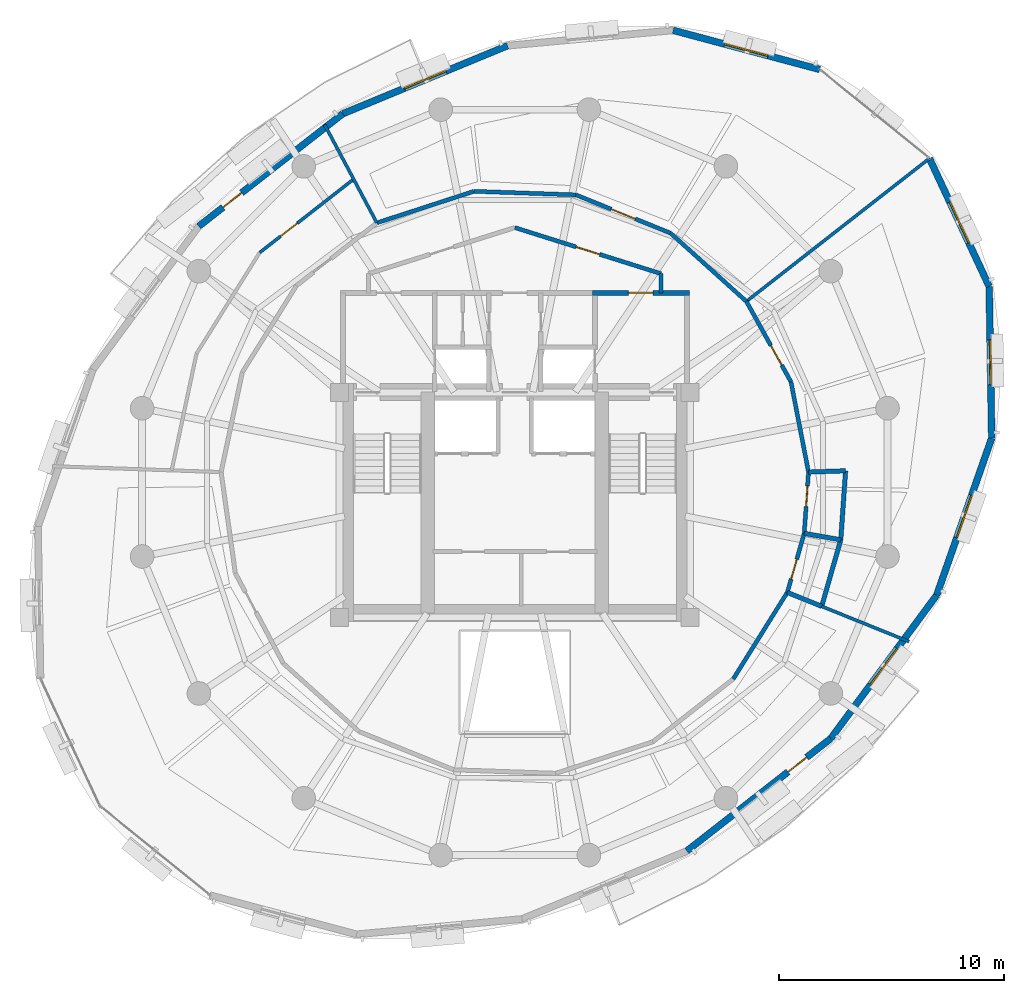
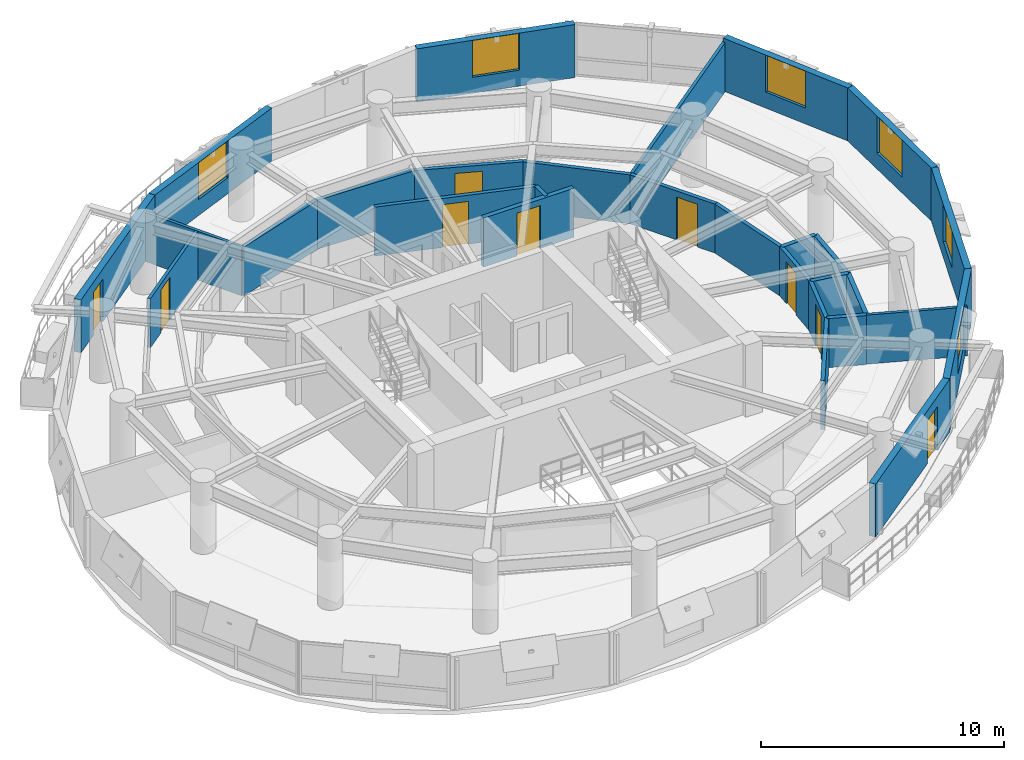
# One storey, part 9 of 12: 29 walls, 9 doors, 6 windows, 15 openings.
"""IFC4 building model written with IfcOpenShell, lengths in metres."""

import ifcopenshell
import ifcopenshell.guid

model = None  # the IFC model being written
_history = None  # IfcOwnerHistory: only IFC2X3 demands one
_inside = {}  # id of a spatial element -> (the spatial element, [elements in it])
_under = {}  # id of a project, library or spatial element -> (it, [spatial elements below it])
_declared = {}  # id of a project -> (the project, [libraries it declares])
_typed = {}  # id of a type object -> (the type object, [elements of that type])
_made_of = {}  # id of a material, layer set ... -> (it, [elements and type objects made of it])


def new_model(schema):
    """Start an empty IFC model of exactly this schema.

    Asked for "IFC4X3", IfcOpenShell would pick the latest addendum, in which some entities
    have other attributes; the version numbers below select the first issue.
    IFC2X3 requires an IfcOwnerHistory on every rooted entity: one is made here for all.
    """
    global model, _history
    if schema == "IFC4X3":
        model = ifcopenshell.file(schema_version=(4, 3, 0, 0))
    else:
        model = ifcopenshell.file(schema=schema)
    _inside.clear()
    _under.clear()
    _declared.clear()
    _typed.clear()
    _made_of.clear()
    _history = None
    if model.schema == "IFC2X3":
        org = make("IfcOrganization", Name="unknown")
        user = make(
            "IfcPersonAndOrganization",
            ThePerson=make("IfcPerson", FamilyName="unknown"),
            TheOrganization=org,
        )
        app = make(
            "IfcApplication",
            ApplicationDeveloper=org,
            Version="unknown",
            ApplicationFullName="unknown",
            ApplicationIdentifier="unknown",
        )
        _history = make(
            "IfcOwnerHistory",
            OwningUser=user,
            OwningApplication=app,
            ChangeAction="ADDED",
            CreationDate=0,
        )
    return model


def make(cls, **values):
    """One entity of the class cls with the attributes given. An attribute that is None is left unset."""
    return model.create_entity(
        cls, **{name: value for name, value in values.items() if value is not None}
    )


def rooted(cls, **values):
    """An entity with a GlobalId (a new one), such as an element, a storey or a relation."""
    return make(cls, GlobalId=ifcopenshell.guid.new(), OwnerHistory=_history, **values)


def si_unit(unit_type, name, prefix=None):
    """IfcSIUnit, for example si_unit("LENGTHUNIT", "METRE", prefix="MILLI")."""
    return make("IfcSIUnit", UnitType=unit_type, Prefix=prefix, Name=name)


def assignment(units):
    """IfcUnitAssignment: the units of a project."""
    return None if units is None else make("IfcUnitAssignment", Units=units)


def point(xyz):
    """IfcCartesianPoint."""
    return None if xyz is None else make("IfcCartesianPoint", Coordinates=xyz)


def direction(xyz):
    """IfcDirection."""
    return None if xyz is None else make("IfcDirection", DirectionRatios=xyz)


def frame(location, z_axis=None, x_axis=None):
    """IfcAxis2Placement3D, a coordinate frame: its origin and axes. An axis left out is left unset."""
    return make(
        "IfcAxis2Placement3D",
        Location=point(location),
        Axis=direction(z_axis),
        RefDirection=direction(x_axis),
    )


def frame_2d(location, x_axis=None):
    """IfcAxis2Placement2D, a coordinate frame in the plane: its origin and x axis."""
    return make(
        "IfcAxis2Placement2D", Location=point(location), RefDirection=direction(x_axis)
    )


def origin():
    """The frame at (0, 0, 0) with its axes left unset."""
    return frame((0.0, 0.0, 0.0))


def place(relative_to, where):
    """IfcLocalPlacement: puts the frame where relative to a parent placement (None: the world)."""
    return make(
        "IfcLocalPlacement", PlacementRelTo=relative_to, RelativePlacement=where
    )


def context(
    kind, dimensions, precision=None, world=None, true_north=None, identifier=None
):
    """IfcGeometricRepresentationContext, for example the 3D "Model" context."""
    return make(
        "IfcGeometricRepresentationContext",
        ContextIdentifier=identifier,
        ContextType=kind,
        CoordinateSpaceDimension=dimensions,
        Precision=precision,
        WorldCoordinateSystem=world,
        TrueNorth=true_north,
    )


def subcontext(parent, identifier, kind, view, scale=None):
    """IfcGeometricRepresentationSubContext, for example "Body" below "Model"."""
    return make(
        "IfcGeometricRepresentationSubContext",
        ContextIdentifier=identifier,
        ContextType=kind,
        ParentContext=parent,
        TargetScale=scale,
        TargetView=view,
    )


def project(units=None, contexts=None):
    """IfcProject with its units and contexts."""
    return rooted(
        "IfcProject",
        Name="project",
        RepresentationContexts=contexts,
        UnitsInContext=assignment(units),
    )


def spatial(cls, under=None, at=None, **own):
    """A site, building, storey or space (cls), placed at a placement, below another one or the project."""
    s = rooted(cls, ObjectPlacement=at, **own)
    if under is not None:
        _under.setdefault(under.id(), (under, []))[1].append(s)
    return s


def profile(cls, at=None, kind="AREA", **sizes):
    """A parametric profile (cls). Its sizes go by their IFC names, for example OverallWidth=200.0."""
    return make(cls, ProfileType=kind, Position=at, **sizes)


def rectangle(**sizes):
    """IfcRectangleProfileDef."""
    return profile("IfcRectangleProfileDef", **sizes)


def extrude(swept, where, along, depth):
    """IfcExtrudedAreaSolid: the profile swept, set in the frame where, extruded along a direction by depth."""
    return make(
        "IfcExtrudedAreaSolid",
        SweptArea=swept,
        Position=where,
        ExtrudedDirection=direction(along),
        Depth=depth,
    )


def shape(context_of_items, identifier, shape_type, items):
    """IfcShapeRepresentation: the items that make up one representation, for example the "Body"."""
    return make(
        "IfcShapeRepresentation",
        ContextOfItems=context_of_items,
        RepresentationIdentifier=identifier,
        RepresentationType=shape_type,
        Items=items,
    )


def material(Name=None, Category=None):
    """IfcMaterial."""
    return make("IfcMaterial", Name=Name, Category=Category)


def layer(
    of_material, thickness, ventilated=None, Name=None, Category=None, Priority=None
):
    """IfcMaterialLayer: one layer of a wall or slab, of a material (None: an air gap)."""
    return make(
        "IfcMaterialLayer",
        Material=of_material,
        LayerThickness=thickness,
        IsVentilated=ventilated,
        Name=Name,
        Category=Category,
        Priority=Priority,
    )


def layer_set(layers, Name=None):
    """IfcMaterialLayerSet."""
    return make("IfcMaterialLayerSet", MaterialLayers=layers, LayerSetName=Name)


def made_of(thing, what):
    """Note that an element or type object is made of a material, layer set ...; save() writes the relation."""
    if what is not None:
        _made_of.setdefault(what.id(), (what, []))[1].append(thing)
    return thing


def type_object(cls, material=None, **own):
    """A type object (cls), such as IfcWallType, which elements share."""
    return made_of(rooted(cls, **own), material)


def element(
    cls,
    number,
    at=None,
    inside=None,
    cuts=None,
    type_object=None,
    material=None,
    context=None,
    identifier="Body",
    shape_type=None,
    held_by="IfcProductDefinitionShape",
    body=None,
    shapes=None,
    **own,
):
    """One element of the class cls, such as IfcWall. Its Tag is "e" and its number.

    at: its placement. inside: the storey or other place that contains it. cuts: it is an
    opening in that element (IfcRelVoidsElement). A single representation is given by context,
    identifier, shape_type and body (its items); several are given by shapes. held_by: the class
    of the entity that holds the representations. save() writes the other relations.
    """
    e = rooted(cls, Tag="e%d" % number, ObjectPlacement=at, **own)
    if body is not None:
        shapes = [shape(context, identifier, shape_type, body)]
    if shapes is not None:
        e.Representation = make(held_by, Representations=shapes)
    if inside is not None:
        _inside.setdefault(inside.id(), (inside, []))[1].append(e)
    if cuts is not None:
        rooted(
            "IfcRelVoidsElement", RelatingBuildingElement=cuts, RelatedOpeningElement=e
        )
    if type_object is not None:
        _typed.setdefault(type_object.id(), (type_object, []))[1].append(e)
    return made_of(e, material)


def fill(opening, filler):
    """IfcRelFillsElement: the door or window that sits in an opening."""
    return rooted(
        "IfcRelFillsElement",
        RelatingOpeningElement=opening,
        RelatedBuildingElement=filler,
    )


def aggregate(whole, parts):
    """IfcRelAggregates: a whole, such as a stair, and the parts it consists of."""
    return rooted("IfcRelAggregates", RelatingObject=whole, RelatedObjects=parts)


def save(model, path):
    """Write the relations noted so far, then the file.

    IfcRelAggregates (storeys below a building ...), IfcRelContainedInSpatialStructure (elements
    in a storey), IfcRelDefinesByType, IfcRelAssociatesMaterial and IfcRelDeclares: one each for
    every whole, place, type object, material and project.
    """
    for whole, parts in _under.values():
        aggregate(whole, parts)
    for where, things in _inside.values():
        rooted(
            "IfcRelContainedInSpatialStructure",
            RelatedElements=things,
            RelatingStructure=where,
        )
    for kind, things in _typed.values():
        rooted("IfcRelDefinesByType", RelatedObjects=things, RelatingType=kind)
    for what, things in _made_of.values():
        rooted("IfcRelAssociatesMaterial", RelatedObjects=things, RelatingMaterial=what)
    for by, libraries in _declared.values():
        rooted("IfcRelDeclares", RelatingContext=by, RelatedDefinitions=libraries)
    model.write(path)


model = new_model("IFC4")

# Units and contexts
model_context = context("Model", 3, precision=1e-05, world=origin(), true_north=direction((0.0, 1.0)))
body_context = subcontext(model_context, "Body", "Model", "MODEL_VIEW")
ifc_project = project(units=[si_unit("LENGTHUNIT", "METRE"), si_unit("AREAUNIT", "SQUARE_METRE"), si_unit("VOLUMEUNIT", "CUBIC_METRE"), si_unit("PLANEANGLEUNIT", "RADIAN"), si_unit("MASSUNIT", "GRAM", prefix="KILO"), si_unit("THERMODYNAMICTEMPERATUREUNIT", "KELVIN"), si_unit("POWERUNIT", "WATT")], contexts=[model_context])

# Site, building, storey
site_placement = place(None, origin())
site = spatial("IfcSite", under=ifc_project, at=site_placement, CompositionType="ELEMENT")
building_placement = place(site_placement, origin())
building = spatial("IfcBuilding", under=site, at=building_placement, Name="Ocrelia Relay Tower", CompositionType="ELEMENT")
storey_placement = place(building_placement, frame((0.0, 0.0, 191.60009765625)))
storey = spatial("IfcBuildingStorey", under=building, at=storey_placement, Name="L46", CompositionType="ELEMENT", Elevation=191.60009765625)

# Wall
ifc_material_1 = material(Name="Gypsum Fireboard Partition EI60", Category="gypsum")
ifc_layer_1 = layer(ifc_material_1, 0.179931640625, Name="Gypsum Fireboard Partition EI60")
ifc_layer_set_1 = layer_set([ifc_layer_1], Name="Gypsum Fireboard Partition EI60")
wall_type_1 = type_object("IfcWallType", Name="W-CORR-EI60-180", PredefinedType="PARTITIONING", material=ifc_layer_set_1)
wall_1_placement = place(storey_placement, frame((40.5, 35.280029296875, 0.0), z_axis=(0.0, 0.0, 1.0), x_axis=(0.0, -1.0, 0.0)))
element("IfcWall", 1, at=wall_1_placement, inside=storey, type_object=wall_type_1, Name="L46 Smoke Lobby East Return", PredefinedType="PARTITIONING", context=body_context, shape_type="SweptSolid", body=[
    extrude(rectangle(XDim=0.85009765625, YDim=0.179931640625, at=frame_2d((0.425048828125, 0.0))), origin(), (0.0, 0.0, 1.0), 2.4599609375),
])

# Wall, opening, door
wall_2_placement = place(storey_placement, frame((34.0, 37.330078125, 0.0), z_axis=(0.0, 0.0, 1.0), x_axis=(0.953691418528, -0.300786765376, 0.0)))
wall_2 = element("IfcWall", 2, at=wall_2_placement, inside=storey, type_object=wall_type_1, Name="L46 North Smoke Lobby E Screen Wall", PredefinedType="PARTITIONING", context=body_context, shape_type="SweptSolid", body=[
    extrude(rectangle(XDim=6.815673828125, YDim=0.179931640625, at=frame_2d((3.40771484375, 0.0))), origin(), (0.0, 0.0, 1.0), 2.4599609375),
])
opening_1_placement = place(wall_2_placement, frame((2.85791015625, 0.0, 0.0)))
opening_1 = element("IfcOpeningElement", 3, at=opening_1_placement, cuts=wall_2, Name="Opening D-FD60", PredefinedType="OPENING", context=body_context, shape_type="SweptSolid", body=[
    extrude(rectangle(XDim=1.10009765625, YDim=2.14990234375, at=frame_2d((0.550048828125, 1.074951171875))), frame((0.0, 0.10009765625, 0.0), z_axis=(0.0, -1.0, 0.0), x_axis=(1.0, 0.0, 0.0)), (0.0, 0.0, 1.0), 0.199951171875),
])
ifc_material_2 = material(Name="Timber-core 60-min acoustic fire door", Category="wood")
door_type_1 = type_object("IfcDoorType", Name="DR-LOBBY-FD60-1100", OperationType="NOTDEFINED", PredefinedType="DOOR", material=ifc_material_2)
door_1_placement = place(opening_1_placement, origin())
door_1 = element("IfcDoor", 4, at=door_1_placement, inside=storey, type_object=door_type_1, Name="L46 North Smoke Lobby E Fire Door", OperationType="SINGLE_SWING_LEFT", OverallHeight=2.14990234375, OverallWidth=1.10009765625, PredefinedType="DOOR", context=body_context, shape_type="SweptSolid", body=[
    extrude(rectangle(XDim=1.10009765625, YDim=2.14990234375, at=frame_2d((0.550048828125, 1.074951171875))), frame((0.0, 0.02490234375, 0.0), z_axis=(0.0, -1.0, 0.0), x_axis=(1.0, 0.0, 0.0)), (0.0, 0.0, 1.0), 0.050048828125),
])
fill(opening_1, door_1)

wall_3_placement = place(storey_placement, frame((46.118408203125, 21.10400390625, 0.0), z_axis=(0.0, 0.0, 1.0), x_axis=(0.275570735837, 0.961280796412, 0.0)))
wall_3 = element("IfcWall", 5, at=wall_3_placement, inside=storey, type_object=wall_type_1, Name="L46 Staff Toilet Corridor Wall", PredefinedType="PARTITIONING", context=body_context, shape_type="SweptSolid", body=[
    extrude(rectangle(XDim=2.732177734375, YDim=0.179931640625, at=frame_2d((1.3662109375, 0.0))), origin(), (0.0, 0.0, 1.0), 2.4599609375),
])
opening_2_placement = place(wall_3_placement, frame((0.61572265625, 0.0, 0.0)))
opening_2 = element("IfcOpeningElement", 6, at=opening_2_placement, cuts=wall_3, Name="Opening D-WC92", PredefinedType="OPENING", context=body_context, shape_type="SweptSolid", body=[
    extrude(rectangle(XDim=0.919921875, YDim=2.10009765625, at=frame_2d((0.4599609375, 1.050048828125))), frame((0.0, 0.10009765625, 0.0), z_axis=(0.0, -1.0, 0.0), x_axis=(1.0, 0.0, 0.0)), (0.0, 0.0, 1.0), 0.199951171875),
])
ifc_material_3 = material(Name="Laminate washroom door", Category="wood")
door_type_2 = type_object("IfcDoorType", Name="DR-WC-920", OperationType="NOTDEFINED", PredefinedType="DOOR", material=ifc_material_3)
door_2_placement = place(opening_2_placement, origin())
door_2 = element("IfcDoor", 7, at=door_2_placement, inside=storey, type_object=door_type_2, Name="L46 Staff Toilet Door", OperationType="SINGLE_SWING_RIGHT", OverallHeight=2.10009765625, OverallWidth=0.919921875, PredefinedType="DOOR", context=body_context, shape_type="SweptSolid", body=[
    extrude(rectangle(XDim=0.919921875, YDim=2.10009765625, at=frame_2d((0.4599609375, 1.050048828125))), frame((0.0, 0.02490234375, 0.0), z_axis=(0.0, -1.0, 0.0), x_axis=(1.0, 0.0, 0.0)), (0.0, 0.0, 1.0), 0.050048828125),
])
fill(opening_2, door_2)

wall_4_placement = place(storey_placement, frame((46.871337890625, 23.73046875, 0.0), z_axis=(0.0, 0.0, 1.0), x_axis=(0.069786446257, 0.997561953925, 0.0)))
wall_4 = element("IfcWall", 8, at=wall_4_placement, inside=storey, type_object=wall_type_1, Name="L46 Accessible Toilet Corridor Wall", PredefinedType="PARTITIONING", context=body_context, shape_type="SweptSolid", body=[
    extrude(rectangle(XDim=2.732177734375, YDim=0.179931640625, at=frame_2d((1.3662109375, 0.0))), origin(), (0.0, 0.0, 1.0), 2.4599609375),
])
opening_3_placement = place(wall_4_placement, frame((1.196533203125, 0.0, 0.0)))
opening_3 = element("IfcOpeningElement", 9, at=opening_3_placement, cuts=wall_4, Name="Opening D-WC92", PredefinedType="OPENING", context=body_context, shape_type="SweptSolid", body=[
    extrude(rectangle(XDim=0.919921875, YDim=2.10009765625, at=frame_2d((0.4599609375, 1.050048828125))), frame((0.0, 0.10009765625, 0.0), z_axis=(0.0, -1.0, 0.0), x_axis=(1.0, 0.0, 0.0)), (0.0, 0.0, 1.0), 0.199951171875),
])
door_3_placement = place(opening_3_placement, origin())
door_3 = element("IfcDoor", 10, at=door_3_placement, inside=storey, type_object=door_type_2, Name="L46 Accessible Toilet Door", OperationType="SINGLE_SWING_LEFT", OverallHeight=2.10009765625, OverallWidth=0.919921875, PredefinedType="DOOR", context=body_context, shape_type="SweptSolid", body=[
    extrude(rectangle(XDim=0.919921875, YDim=2.10009765625, at=frame_2d((0.4599609375, 1.050048828125))), frame((0.0, 0.02490234375, 0.0), z_axis=(0.0, -1.0, 0.0), x_axis=(1.0, 0.0, 0.0)), (0.0, 0.0, 1.0), 0.050048828125),
])
fill(opening_3, door_3)

# Wall
wall_5_placement = place(storey_placement, frame((47.06201171875, 26.4560546875, 0.0), z_axis=(0.0, 0.0, 1.0), x_axis=(-0.190808935383, 0.981627195109, 0.0)))
element("IfcWall", 11, at=wall_5_placement, inside=storey, type_object=wall_type_1, Name="L46 Shift Staff Lounge Corridor Partition 1", PredefinedType="PARTITIONING", context=body_context, shape_type="SweptSolid", body=[
    extrude(rectangle(XDim=4.08935546875, YDim=0.179931640625, at=frame_2d((2.044677734375, 0.0))), origin(), (0.0, 0.0, 1.0), 2.4599609375),
])

# Wall, opening, door
wall_6_placement = place(storey_placement, frame((46.28173828125, 30.47021484375, 0.0), z_axis=(0.0, 0.0, 1.0), x_axis=(-0.48480627272, 0.874621562695, 0.0)))
wall_6 = element("IfcWall", 12, at=wall_6_placement, inside=storey, type_object=wall_type_1, Name="L46 Shift Staff Lounge Corridor Partition 2", PredefinedType="PARTITIONING", context=body_context, shape_type="SweptSolid", body=[
    extrude(rectangle(XDim=4.089111328125, YDim=0.179931640625, at=frame_2d((2.04443359375, 0.0))), origin(), (0.0, 0.0, 1.0), 2.4599609375),
])
opening_4_placement = place(wall_6_placement, frame((0.847412109375, 0.0, 0.0)))
opening_4 = element("IfcOpeningElement", 13, at=opening_4_placement, cuts=wall_6, Name="Opening D-RM100", PredefinedType="OPENING", context=body_context, shape_type="SweptSolid", body=[
    extrude(rectangle(XDim=1.0, YDim=2.14990234375, at=frame_2d((0.5, 1.074951171875))), frame((0.0, 0.10009765625, 0.0), z_axis=(0.0, -1.0, 0.0), x_axis=(1.0, 0.0, 0.0)), (0.0, 0.0, 1.0), 0.199951171875),
])
ifc_material_4 = material(Name="Acoustic oak veneer fire door", Category="wood")
door_type_3 = type_object("IfcDoorType", Name="DR-ROOM-FD60-1000", OperationType="NOTDEFINED", PredefinedType="DOOR", material=ifc_material_4)
door_4_placement = place(opening_4_placement, origin())
door_4 = element("IfcDoor", 14, at=door_4_placement, inside=storey, type_object=door_type_3, Name="L46 Shift Staff Lounge Entrance Door", OperationType="SINGLE_SWING_RIGHT", OverallHeight=2.14990234375, OverallWidth=1.0, PredefinedType="DOOR", context=body_context, shape_type="SweptSolid", body=[
    extrude(rectangle(XDim=1.0, YDim=2.14990234375, at=frame_2d((0.5, 1.074951171875))), frame((0.0, 0.02490234375, 0.0), z_axis=(0.0, -1.0, 0.0), x_axis=(1.0, 0.0, 0.0)), (0.0, 0.0, 1.0), 0.050048828125),
])
fill(opening_4, door_4)

# Wall
wall_7_placement = place(storey_placement, frame((44.29931640625, 34.046630859375, 0.0), z_axis=(0.0, 0.0, 1.0), x_axis=(-0.74314168775, 0.669134091141, 0.0)))
element("IfcWall", 15, at=wall_7_placement, inside=storey, type_object=wall_type_1, Name="L46 Cloud Engineering Workspace Corridor Partition 1", PredefinedType="PARTITIONING", context=body_context, shape_type="SweptSolid", body=[
    extrude(rectangle(XDim=4.539306640625, YDim=0.179931640625, at=frame_2d((2.26953125, 0.0))), origin(), (0.0, 0.0, 1.0), 2.4599609375),
])

# Wall, opening, door
wall_8_placement = place(storey_placement, frame((40.926025390625, 37.083984375, 0.0), z_axis=(0.0, 0.0, 1.0), x_axis=(-0.927184006015, 0.374606218568, 0.0)))
wall_8 = element("IfcWall", 16, at=wall_8_placement, inside=storey, type_object=wall_type_1, Name="L46 Cloud Engineering Workspace Corridor Partition 2", PredefinedType="PARTITIONING", context=body_context, shape_type="SweptSolid", body=[
    extrude(rectangle(XDim=4.539306640625, YDim=0.179931640625, at=frame_2d((2.26953125, 0.0))), origin(), (0.0, 0.0, 1.0), 2.4599609375),
])
opening_5_placement = place(wall_8_placement, frame((1.694580078125, 0.0, 0.0)))
opening_5 = element("IfcOpeningElement", 17, at=opening_5_placement, cuts=wall_8, Name="Opening D-RM115", PredefinedType="OPENING", context=body_context, shape_type="SweptSolid", body=[
    extrude(rectangle(XDim=1.14990234375, YDim=2.14990234375, at=frame_2d((0.574951171875, 1.074951171875))), frame((0.0, 0.10009765625, 0.0), z_axis=(0.0, -1.0, 0.0), x_axis=(1.0, 0.0, 0.0)), (0.0, 0.0, 1.0), 0.199951171875),
])
ifc_material_5 = material(Name="Wide acoustic oak veneer fire door", Category="wood")
door_type_4 = type_object("IfcDoorType", Name="DR-ROOM-1150", OperationType="NOTDEFINED", PredefinedType="DOOR", material=ifc_material_5)
door_5_placement = place(opening_5_placement, origin())
door_5 = element("IfcDoor", 18, at=door_5_placement, inside=storey, type_object=door_type_4, Name="L46 Cloud Engineering Workspace Entrance Door", OperationType="SINGLE_SWING_LEFT", OverallHeight=2.14990234375, OverallWidth=1.14990234375, PredefinedType="DOOR", context=body_context, shape_type="SweptSolid", body=[
    extrude(rectangle(XDim=1.14990234375, YDim=2.14990234375, at=frame_2d((0.574951171875, 1.074951171875))), frame((0.0, 0.02490234375, 0.0), z_axis=(0.0, -1.0, 0.0), x_axis=(1.0, 0.0, 0.0)), (0.0, 0.0, 1.0), 0.050048828125),
])
fill(opening_5, door_5)

# Walls
for number, where, z_axis, x_axis, name in (
    (19, (36.71728515625, 38.784423828125, 0.0), (0.0, 0.0, 1.0), (-0.999390569646, 0.034906866137, 0.0), "L46 Cloud Engineering Workspace Corridor Partition 3"),
    (20, (32.180908203125, 38.94287109375, 0.0), (0.0, 0.0, 1.0), (-0.951044345013, -0.309054451219, 0.0), "L46 Cloud Engineering Workspace Corridor Partition 4"),
):
    element("IfcWall", number, at=place(storey_placement, frame(where, z_axis=z_axis, x_axis=x_axis)), inside=storey, type_object=wall_type_1, Name=name, PredefinedType="PARTITIONING", context=body_context, shape_type="SweptSolid", body=[
        extrude(rectangle(XDim=4.5390625, YDim=0.179931640625, at=frame_2d((2.26953125, 0.0))), origin(), (0.0, 0.0, 1.0), 2.4599609375),
    ])
wall_9_placement = place(storey_placement, frame((43.712890625, 17.25439453125, 0.0), z_axis=(0.0, 0.0, 1.0), x_axis=(0.529921587304, 0.848046644536, 0.0)))
element("IfcWall", 21, at=wall_9_placement, inside=storey, type_object=wall_type_1, Name="L46 Quiet Day Study Corridor Partition 8", PredefinedType="PARTITIONING", context=body_context, shape_type="SweptSolid", body=[
    extrude(rectangle(XDim=4.539306640625, YDim=0.179931640625, at=frame_2d((2.26953125, 0.0))), origin(), (0.0, 0.0, 1.0), 2.4599609375),
])

# Wall, opening, window
ifc_material_6 = material(Name="Precast concrete C40/50 with oxide terracotta", Category="masonry")
ifc_layer_2 = layer(ifc_material_6, 0.300048828125, Name="Precast concrete C40/50 with oxide terracotta")
ifc_layer_set_2 = layer_set([ifc_layer_2], Name="Precast concrete C40/50 with oxide terracotta")
wall_type_2 = type_object("IfcWallType", Name="W-EXT-TERR-300", PredefinedType="SOLIDWALL", material=ifc_layer_set_2)
wall_10_placement = place(storey_placement, frame((47.55810546875, 44.362060546875, 0.0), z_axis=(0.0, 0.0, 1.0), x_axis=(-0.966123104916, 0.258081665657, 0.0)))
wall_10 = element("IfcWall", 22, at=wall_10_placement, inside=storey, type_object=wall_type_2, Name="L46 Oxide Terracotta Facade Wall 02", PredefinedType="SOLIDWALL", context=body_context, shape_type="SweptSolid", body=[
    extrude(rectangle(XDim=6.744873046875, YDim=0.300048828125, at=frame_2d((3.37255859375, 0.0))), origin(), (0.0, 0.0, 1.0), 2.659912109375),
])
opening_6_placement = place(wall_10_placement, frame((2.373046875, 0.0, 0.800048828125)))
opening_6 = element("IfcOpeningElement", 23, at=opening_6_placement, cuts=wall_10, Name="Opening W-03", PredefinedType="OPENING", context=body_context, shape_type="SweptSolid", body=[
    extrude(rectangle(XDim=2.0, YDim=1.85009765625, at=frame_2d((1.0, 0.925048828125))), frame((0.0, 0.16015625, 0.0), z_axis=(0.0, -1.0, 0.0), x_axis=(1.0, 0.0, 0.0)), (0.0, 0.0, 1.0), 0.320068359375),
])
ifc_material_7 = material(Name="Clear double-glazed low-E glass", Category="glass")
window_type = type_object("IfcWindowType", Name="WIN-Z3-2000x2200", PartitioningType="DOUBLE_PANEL_VERTICAL", PredefinedType="WINDOW", material=ifc_material_7)
window_1_placement = place(opening_6_placement, origin())
window_1 = element("IfcWindow", 24, at=window_1_placement, inside=storey, type_object=window_type, Name="L46 Facade Module Window 02", OverallHeight=1.85009765625, OverallWidth=2.0, PartitioningType="SINGLE_PANEL", PredefinedType="WINDOW", context=body_context, shape_type="SweptSolid", body=[
    extrude(rectangle(XDim=2.0, YDim=1.85009765625, at=frame_2d((1.0, 0.925048828125))), frame((0.0, 0.030029296875, 0.0), z_axis=(0.0, -1.0, 0.0), x_axis=(1.0, 0.0, 0.0)), (0.0, 0.0, 1.0), 0.06005859375),
])
fill(opening_6, window_1)

wall_11_placement = place(storey_placement, frame((33.67578125, 45.4189453125, 0.0), z_axis=(0.0, 0.0, 1.0), x_axis=(-0.924266151276, -0.381748715264, 0.0)))
wall_11 = element("IfcWall", 25, at=wall_11_placement, inside=storey, type_object=wall_type_2, Name="L46 Oxide Terracotta Facade Wall 04", PredefinedType="SOLIDWALL", context=body_context, shape_type="SweptSolid", body=[
    extrude(rectangle(XDim=7.927001953125, YDim=0.300048828125, at=frame_2d((3.96337890625, 0.0))), origin(), (0.0, 0.0, 1.0), 2.659912109375),
])
opening_7_placement = place(wall_11_placement, frame((2.964111328125, 0.0, 0.800048828125)))
opening_7 = element("IfcOpeningElement", 26, at=opening_7_placement, cuts=wall_11, Name="Opening W-03", PredefinedType="OPENING", context=body_context, shape_type="SweptSolid", body=[
    extrude(rectangle(XDim=2.0, YDim=1.85009765625, at=frame_2d((1.0, 0.925048828125))), frame((0.0, 0.16015625, 0.0), z_axis=(0.0, -1.0, 0.0), x_axis=(1.0, 0.0, 0.0)), (0.0, 0.0, 1.0), 0.320068359375),
])
window_2_placement = place(opening_7_placement, origin())
window_2 = element("IfcWindow", 27, at=window_2_placement, inside=storey, type_object=window_type, Name="L46 Facade Module Window 04", OverallHeight=1.85009765625, OverallWidth=2.0, PartitioningType="SINGLE_PANEL", PredefinedType="WINDOW", context=body_context, shape_type="SweptSolid", body=[
    extrude(rectangle(XDim=2.0, YDim=1.85009765625, at=frame_2d((1.0, 0.925048828125))), frame((0.0, 0.030029296875, 0.0), z_axis=(0.0, -1.0, 0.0), x_axis=(1.0, 0.0, 0.0)), (0.0, 0.0, 1.0), 0.06005859375),
])
fill(opening_7, window_2)

# Wall, opening, door
wall_12_placement = place(storey_placement, frame((26.34912109375, 42.392822265625, 0.0), z_axis=(0.0, 0.0, 1.0), x_axis=(-0.788009343807, -0.615663279783, 0.0)))
wall_12 = element("IfcWall", 28, at=wall_12_placement, inside=storey, type_object=wall_type_2, Name="L46 Oxide Terracotta Facade Wall 05", PredefinedType="SOLIDWALL", context=body_context, shape_type="SweptSolid", body=[
    extrude(rectangle(XDim=8.126953125, YDim=0.300048828125, at=frame_2d((4.0634765625, 0.0))), origin(), (0.0, 0.0, 1.0), 2.659912109375),
])
opening_8_placement = place(wall_12_placement, frame((5.7099609375, 0.0, 0.0)))
opening_8 = element("IfcOpeningElement", 29, at=opening_8_placement, cuts=wall_12, Name="Opening DB-105", PredefinedType="OPENING", context=body_context, shape_type="SweptSolid", body=[
    extrude(rectangle(XDim=1.050048828125, YDim=2.14990234375, at=frame_2d((0.52490234375, 1.074951171875))), frame((0.0, 0.16015625, 0.0), z_axis=(0.0, -1.0, 0.0), x_axis=(1.0, 0.0, 0.0)), (0.0, 0.0, 1.0), 0.320068359375),
])
ifc_material_8 = material(Name="Thermally broken aluminium and clear glass", Category="aluminium")
door_type_5 = type_object("IfcDoorType", Name="DR-BALC-1050", OperationType="NOTDEFINED", PredefinedType="DOOR", material=ifc_material_8)
door_6_placement = place(opening_8_placement, origin())
door_6 = element("IfcDoor", 30, at=door_6_placement, inside=storey, type_object=door_type_5, Name="L46 Planted Loggia Balcony Door B1", OperationType="SINGLE_SWING_LEFT", OverallHeight=2.14990234375, OverallWidth=1.050048828125, PredefinedType="DOOR", context=body_context, shape_type="SweptSolid", body=[
    extrude(rectangle(XDim=1.050048828125, YDim=2.14990234375, at=frame_2d((0.52490234375, 1.074951171875))), frame((0.0, 0.02490234375, 0.0), z_axis=(0.0, -1.0, 0.0), x_axis=(1.0, 0.0, 0.0)), (0.0, 0.0, 1.0), 0.050048828125),
])
fill(opening_8, door_6)

wall_13_placement = place(storey_placement, frame((41.65087890625, 9.607177734375, 0.0), z_axis=(0.0, 0.0, 1.0), x_axis=(0.788009343807, 0.615663279783, 0.0)))
wall_13 = element("IfcWall", 31, at=wall_13_placement, inside=storey, type_object=wall_type_2, Name="L46 Oxide Terracotta Facade Wall 14", PredefinedType="SOLIDWALL", context=body_context, shape_type="SweptSolid", body=[
    extrude(rectangle(XDim=8.126953125, YDim=0.300048828125, at=frame_2d((4.0634765625, 0.0))), origin(), (0.0, 0.0, 1.0), 2.659912109375),
])
opening_9_placement = place(wall_13_placement, frame((5.7099609375, 0.0, 0.0)))
opening_9 = element("IfcOpeningElement", 32, at=opening_9_placement, cuts=wall_13, Name="Opening DB-105", PredefinedType="OPENING", context=body_context, shape_type="SweptSolid", body=[
    extrude(rectangle(XDim=1.050048828125, YDim=2.14990234375, at=frame_2d((0.52490234375, 1.074951171875))), frame((0.0, 0.16015625, 0.0), z_axis=(0.0, -1.0, 0.0), x_axis=(1.0, 0.0, 0.0)), (0.0, 0.0, 1.0), 0.320068359375),
])
door_7_placement = place(opening_9_placement, origin())
door_7 = element("IfcDoor", 33, at=door_7_placement, inside=storey, type_object=door_type_5, Name="L46 Planted Loggia Balcony Door B2", OperationType="SINGLE_SWING_LEFT", OverallHeight=2.14990234375, OverallWidth=1.050048828125, PredefinedType="DOOR", context=body_context, shape_type="SweptSolid", body=[
    extrude(rectangle(XDim=1.050048828125, YDim=2.14990234375, at=frame_2d((0.52490234375, 1.074951171875))), frame((0.0, 0.02490234375, 0.0), z_axis=(0.0, -1.0, 0.0), x_axis=(1.0, 0.0, 0.0)), (0.0, 0.0, 1.0), 0.050048828125),
])
fill(opening_9, door_7)

# Wall, opening, window
wall_14_placement = place(storey_placement, frame((48.054931640625, 14.610595703125, 0.0), z_axis=(0.0, 0.0, 1.0), x_axis=(0.594010832638, 0.804457040934, 0.0)))
wall_14 = element("IfcWall", 34, at=wall_14_placement, inside=storey, type_object=wall_type_2, Name="L46 Oxide Terracotta Facade Wall 15", PredefinedType="SOLIDWALL", context=body_context, shape_type="SweptSolid", body=[
    extrude(rectangle(XDim=7.927001953125, YDim=0.300048828125, at=frame_2d((3.96337890625, 0.0))), origin(), (0.0, 0.0, 1.0), 2.659912109375),
])
opening_10_placement = place(wall_14_placement, frame((2.964111328125, 0.0, 0.800048828125)))
opening_10 = element("IfcOpeningElement", 35, at=opening_10_placement, cuts=wall_14, Name="Opening W-03", PredefinedType="OPENING", context=body_context, shape_type="SweptSolid", body=[
    extrude(rectangle(XDim=2.0, YDim=1.85009765625, at=frame_2d((1.0, 0.925048828125))), frame((0.0, 0.16015625, 0.0), z_axis=(0.0, -1.0, 0.0), x_axis=(1.0, 0.0, 0.0)), (0.0, 0.0, 1.0), 0.320068359375),
])
window_3_placement = place(opening_10_placement, origin())
window_3 = element("IfcWindow", 36, at=window_3_placement, inside=storey, type_object=window_type, Name="L46 Facade Module Window 15", OverallHeight=1.85009765625, OverallWidth=2.0, PartitioningType="SINGLE_PANEL", PredefinedType="WINDOW", context=body_context, shape_type="SweptSolid", body=[
    extrude(rectangle(XDim=2.0, YDim=1.85009765625, at=frame_2d((1.0, 0.925048828125))), frame((0.0, 0.030029296875, 0.0), z_axis=(0.0, -1.0, 0.0), x_axis=(1.0, 0.0, 0.0)), (0.0, 0.0, 1.0), 0.06005859375),
])
fill(opening_10, window_3)

wall_15_placement = place(storey_placement, frame((52.763671875, 20.987548828125, 0.0), z_axis=(0.0, 0.0, 1.0), x_axis=(0.330587092265, 0.943775489419, 0.0)))
wall_15 = element("IfcWall", 37, at=wall_15_placement, inside=storey, type_object=wall_type_2, Name="L46 Oxide Terracotta Facade Wall 16", PredefinedType="SOLIDWALL", context=body_context, shape_type="SweptSolid", body=[
    extrude(rectangle(XDim=7.397705078125, YDim=0.300048828125, at=frame_2d((3.69873046875, 0.0))), origin(), (0.0, 0.0, 1.0), 2.659912109375),
])
opening_11_placement = place(wall_15_placement, frame((2.698974609375, 0.0, 0.800048828125)))
opening_11 = element("IfcOpeningElement", 38, at=opening_11_placement, cuts=wall_15, Name="Opening W-03", PredefinedType="OPENING", context=body_context, shape_type="SweptSolid", body=[
    extrude(rectangle(XDim=2.0, YDim=1.85009765625, at=frame_2d((1.0, 0.925048828125))), frame((0.0, 0.16015625, 0.0), z_axis=(0.0, -1.0, 0.0), x_axis=(1.0, 0.0, 0.0)), (0.0, 0.0, 1.0), 0.320068359375),
])
window_4_placement = place(opening_11_placement, origin())
window_4 = element("IfcWindow", 39, at=window_4_placement, inside=storey, type_object=window_type, Name="L46 Facade Module Window 16", OverallHeight=1.85009765625, OverallWidth=2.0, PartitioningType="SINGLE_PANEL", PredefinedType="WINDOW", context=body_context, shape_type="SweptSolid", body=[
    extrude(rectangle(XDim=2.0, YDim=1.85009765625, at=frame_2d((1.0, 0.925048828125))), frame((0.0, 0.030029296875, 0.0), z_axis=(0.0, -1.0, 0.0), x_axis=(1.0, 0.0, 0.0)), (0.0, 0.0, 1.0), 0.06005859375),
])
fill(opening_11, window_4)

wall_16_placement = place(storey_placement, frame((55.209228515625, 27.96923828125, 0.0), z_axis=(0.0, 0.0, 1.0), x_axis=(-0.016686063519, 0.999860777951, 0.0)))
wall_16 = element("IfcWall", 40, at=wall_16_placement, inside=storey, type_object=wall_type_2, Name="L46 Oxide Terracotta Facade Wall 17", PredefinedType="SOLIDWALL", context=body_context, shape_type="SweptSolid", body=[
    extrude(rectangle(XDim=6.7451171875, YDim=0.300048828125, at=frame_2d((3.37255859375, 0.0))), origin(), (0.0, 0.0, 1.0), 2.659912109375),
])
opening_12_placement = place(wall_16_placement, frame((2.373046875, 0.0, 0.800048828125)))
opening_12 = element("IfcOpeningElement", 41, at=opening_12_placement, cuts=wall_16, Name="Opening W-03", PredefinedType="OPENING", context=body_context, shape_type="SweptSolid", body=[
    extrude(rectangle(XDim=2.0, YDim=1.85009765625, at=frame_2d((1.0, 0.925048828125))), frame((0.0, 0.16015625, 0.0), z_axis=(0.0, -1.0, 0.0), x_axis=(1.0, 0.0, 0.0)), (0.0, 0.0, 1.0), 0.320068359375),
])
window_5_placement = place(opening_12_placement, origin())
window_5 = element("IfcWindow", 42, at=window_5_placement, inside=storey, type_object=window_type, Name="L46 Facade Module Window 17", OverallHeight=1.85009765625, OverallWidth=2.0, PartitioningType="SINGLE_PANEL", PredefinedType="WINDOW", context=body_context, shape_type="SweptSolid", body=[
    extrude(rectangle(XDim=2.0, YDim=1.85009765625, at=frame_2d((1.0, 0.925048828125))), frame((0.0, 0.030029296875, 0.0), z_axis=(0.0, -1.0, 0.0), x_axis=(1.0, 0.0, 0.0)), (0.0, 0.0, 1.0), 0.06005859375),
])
fill(opening_12, window_5)

wall_17_placement = place(storey_placement, frame((55.0966796875, 34.71337890625, 0.0), z_axis=(0.0, 0.0, 1.0), x_axis=(-0.422942902265, 0.906156333876, 0.0)))
wall_17 = element("IfcWall", 43, at=wall_17_placement, inside=storey, type_object=wall_type_2, Name="L46 Oxide Terracotta Facade Wall 18", PredefinedType="SOLIDWALL", context=body_context, shape_type="SweptSolid", body=[
    extrude(rectangle(XDim=6.28271484375, YDim=0.300048828125, at=frame_2d((3.141357421875, 0.0))), origin(), (0.0, 0.0, 1.0), 2.659912109375),
])
opening_13_placement = place(wall_17_placement, frame((2.14111328125, 0.0, 0.800048828125)))
opening_13 = element("IfcOpeningElement", 44, at=opening_13_placement, cuts=wall_17, Name="Opening W-03", PredefinedType="OPENING", context=body_context, shape_type="SweptSolid", body=[
    extrude(rectangle(XDim=2.0, YDim=1.85009765625, at=frame_2d((1.0, 0.925048828125))), frame((0.0, 0.16015625, 0.0), z_axis=(0.0, -1.0, 0.0), x_axis=(1.0, 0.0, 0.0)), (0.0, 0.0, 1.0), 0.320068359375),
])
window_6_placement = place(opening_13_placement, origin())
window_6 = element("IfcWindow", 45, at=window_6_placement, inside=storey, type_object=window_type, Name="L46 Facade Module Window 18", OverallHeight=1.85009765625, OverallWidth=2.0, PartitioningType="SINGLE_PANEL", PredefinedType="WINDOW", context=body_context, shape_type="SweptSolid", body=[
    extrude(rectangle(XDim=2.0, YDim=1.85009765625, at=frame_2d((1.0, 0.925048828125))), frame((0.0, 0.030029296875, 0.0), z_axis=(0.0, -1.0, 0.0), x_axis=(1.0, 0.0, 0.0)), (0.0, 0.0, 1.0), 0.06005859375),
])
fill(opening_13, window_6)

# Wall, opening, door
ifc_material_9 = material(Name="Concrete C50/60", Category="concrete")
ifc_layer_3 = layer(ifc_material_9, 0.219970703125, Name="Concrete C50/60")
ifc_layer_set_3 = layer_set([ifc_layer_3], Name="Concrete C50/60")
wall_type_3 = type_object("IfcWallType", Name="W-FFL-EI120-220", PredefinedType="SOLIDWALL", material=ifc_layer_set_3)
wall_18_placement = place(storey_placement, frame((37.449951171875, 34.429931640625, 0.0), z_axis=(0.0, 0.0, 1.0), x_axis=(1.0, 0.0, 0.0)))
wall_18 = element("IfcWall", 46, at=wall_18_placement, inside=storey, type_object=wall_type_3, Name="L46 E Fire Service Lift Lobby North Wall", PredefinedType="SOLIDWALL", context=body_context, shape_type="SweptSolid", body=[
    extrude(rectangle(XDim=4.31005859375, YDim=0.219970703125, at=frame_2d((2.155029296875, 0.0))), origin(), (0.0, 0.0, 1.0), 2.4599609375),
])
opening_14_placement = place(wall_18_placement, frame((1.60009765625, 0.0, 0.0)))
opening_14 = element("IfcOpeningElement", 47, at=opening_14_placement, cuts=wall_18, Name="Opening D-FD60", PredefinedType="OPENING", context=body_context, shape_type="SweptSolid", body=[
    extrude(rectangle(XDim=1.10009765625, YDim=2.14990234375, at=frame_2d((0.550048828125, 1.074951171875))), frame((0.0, 0.1201171875, 0.0), z_axis=(0.0, -1.0, 0.0), x_axis=(1.0, 0.0, 0.0)), (0.0, 0.0, 1.0), 0.239990234375),
])
door_8_placement = place(opening_14_placement, origin())
door_8 = element("IfcDoor", 48, at=door_8_placement, inside=storey, type_object=door_type_1, Name="L46 E Fire Service Lift Lobby Exit Door", OperationType="SINGLE_SWING_RIGHT", OverallHeight=2.14990234375, OverallWidth=1.10009765625, PredefinedType="DOOR", context=body_context, shape_type="SweptSolid", body=[
    extrude(rectangle(XDim=1.10009765625, YDim=2.14990234375, at=frame_2d((0.550048828125, 1.074951171875))), frame((0.0, 0.02490234375, 0.0), z_axis=(0.0, -1.0, 0.0), x_axis=(1.0, 0.0, 0.0)), (0.0, 0.0, 1.0), 0.050048828125),
])
fill(opening_14, door_8)

# Walls
ifc_material_10 = material(Name="Acoustic Fireboard Partition EI60", Category="gypsum")
ifc_layer_4 = layer(ifc_material_10, 0.139892578125, Name="Acoustic Fireboard Partition EI60")
ifc_layer_set_4 = layer_set([ifc_layer_4], Name="Acoustic Fireboard Partition EI60")
wall_type_4 = type_object("IfcWallType", Name="W-PART-140", PredefinedType="PARTITIONING", material=ifc_layer_set_4)
wall_19_placement = place(storey_placement, frame((47.648193359375, 20.48583984375, 0.0), z_axis=(0.0, 0.0, 1.0), x_axis=(0.927180311417, -0.374615362901, 0.0)))
element("IfcWall", 49, at=wall_19_placement, inside=storey, type_object=wall_type_4, Name="L46 Shift Staff Lounge Radial Partition", PredefinedType="PARTITIONING", context=body_context, shape_type="SweptSolid", body=[
    extrude(rectangle(XDim=4.187255859375, YDim=0.139892578125, at=frame_2d((2.09375, 0.0))), origin(), (0.0, 0.0, 1.0), 2.4599609375),
])
wall_20_placement = place(storey_placement, frame((44.29931640625, 34.046630859375, 0.0), z_axis=(0.0, 0.0, 1.0), x_axis=(0.788006457951, 0.615666973475, 0.0)))
element("IfcWall", 50, at=wall_20_placement, inside=storey, type_object=wall_type_4, Name="L46 Shift Staff Lounge Radial Partition", PredefinedType="PARTITIONING", context=body_context, shape_type="SweptSolid", body=[
    extrude(rectangle(XDim=10.330078125, YDim=0.139892578125, at=frame_2d((5.1650390625, 0.0))), origin(), (0.0, 0.0, 1.0), 2.4599609375),
])
wall_21_placement = place(storey_placement, frame((27.864013671875, 37.5400390625, 0.0), z_axis=(0.0, 0.0, 1.0), x_axis=(-0.469457334857, 0.882955157836, 0.0)))
element("IfcWall", 51, at=wall_21_placement, inside=storey, type_object=wall_type_4, Name="L46 Cloud Engineering Workspace Radial Partition", PredefinedType="PARTITIONING", context=body_context, shape_type="SweptSolid", body=[
    extrude(rectangle(XDim=4.943115234375, YDim=0.139892578125, at=frame_2d((2.4716796875, 0.0))), origin(), (0.0, 0.0, 1.0), 2.4599609375),
])

# Wall, opening, door
wall_22_placement = place(storey_placement, frame((26.831298828125, 39.482666015625, 0.0), z_axis=(0.0, 0.0, 1.0), x_axis=(-0.788011811191, -0.615660121677, 0.0)))
wall_22 = element("IfcWall", 52, at=wall_22_placement, inside=storey, type_object=wall_type_4, Name="L46 Perimeter Executive Reading Study Mid-Ring Partition 1", PredefinedType="PARTITIONING", context=body_context, shape_type="SweptSolid", body=[
    extrude(rectangle(XDim=5.303466796875, YDim=0.139892578125, at=frame_2d((2.65185546875, 0.0))), origin(), (0.0, 0.0, 1.0), 2.4599609375),
])
opening_15_placement = place(wall_22_placement, frame((3.1748046875, 0.0, 0.0)))
opening_15 = element("IfcOpeningElement", 53, at=opening_15_placement, cuts=wall_22, Name="Opening D-RM95", PredefinedType="OPENING", context=body_context, shape_type="SweptSolid", body=[
    extrude(rectangle(XDim=0.949951171875, YDim=2.14990234375, at=frame_2d((0.47509765625, 1.074951171875))), frame((0.0, 0.080078125, 0.0), z_axis=(0.0, -1.0, 0.0), x_axis=(1.0, 0.0, 0.0)), (0.0, 0.0, 1.0), 0.159912109375),
])
door_type_6 = type_object("IfcDoorType", Name="DR-ROOM-950", OperationType="NOTDEFINED", PredefinedType="DOOR", material=ifc_material_4)
door_9_placement = place(opening_15_placement, origin())
door_9 = element("IfcDoor", 54, at=door_9_placement, inside=storey, type_object=door_type_6, Name="L46 Perimeter Executive Reading Study Connecting Door", OperationType="SINGLE_SWING_LEFT", OverallHeight=2.14990234375, OverallWidth=0.949951171875, PredefinedType="DOOR", context=body_context, shape_type="SweptSolid", body=[
    extrude(rectangle(XDim=0.949951171875, YDim=2.14990234375, at=frame_2d((0.47509765625, 1.074951171875))), frame((0.0, 0.02490234375, 0.0), z_axis=(0.0, -1.0, 0.0), x_axis=(1.0, 0.0, 0.0)), (0.0, 0.0, 1.0), 0.050048828125),
])
fill(opening_15, door_9)

# Walls
ifc_material_11 = material(Name="Moisture-Resistant Fireboard Chase Wall EI60", Category="gypsum")
ifc_layer_5 = layer(ifc_material_11, 0.199951171875, Name="Moisture-Resistant Fireboard Chase Wall EI60")
ifc_layer_set_5 = layer_set([ifc_layer_5], Name="Moisture-Resistant Fireboard Chase Wall EI60")
wall_type_5 = type_object("IfcWallType", Name="W-PLUMB-200", PredefinedType="PLUMBINGWALL", material=ifc_layer_set_5)
wall_23_placement = place(storey_placement, frame((46.118408203125, 21.10400390625, 0.0), z_axis=(0.0, 0.0, 1.0), x_axis=(0.927164752012, -0.374653870427, 0.0)))
element("IfcWall", 55, at=wall_23_placement, inside=storey, type_object=wall_type_5, Name="L46 Staff Toilet Plumbing Radial Wall", PredefinedType="PLUMBINGWALL", context=body_context, shape_type="SweptSolid", body=[
    extrude(rectangle(XDim=1.64990234375, YDim=0.199951171875, at=frame_2d((0.824951171875, 0.0))), origin(), (0.0, 0.0, 1.0), 2.4599609375),
])
wall_24_placement = place(storey_placement, frame((46.871337890625, 23.73046875, 0.0), z_axis=(0.0, 0.0, 1.0), x_axis=(0.98479845015, -0.173700928557, 0.0)))
element("IfcWall", 56, at=wall_24_placement, inside=storey, type_object=wall_type_5, Name="L46 Staff Toilet Plumbing Radial Wall", PredefinedType="PLUMBINGWALL", context=body_context, shape_type="SweptSolid", body=[
    extrude(rectangle(XDim=1.650146484375, YDim=0.199951171875, at=frame_2d((0.8251953125, 0.0))), origin(), (0.0, 0.0, 1.0), 2.4599609375),
])
wall_25_placement = place(storey_placement, frame((47.648193359375, 20.48583984375, 0.0), z_axis=(0.0, 0.0, 1.0), x_axis=(0.275622173579, 0.961266049245, 0.0)))
element("IfcWall", 57, at=wall_25_placement, inside=storey, type_object=wall_type_5, Name="L46 Staff Toilet Back Plumbing Wall", PredefinedType="PLUMBINGWALL", context=body_context, shape_type="SweptSolid", body=[
    extrude(rectangle(XDim=3.0771484375, YDim=0.199951171875, at=frame_2d((1.53857421875, 0.0))), origin(), (0.0, 0.0, 1.0), 2.4599609375),
])
wall_26_placement = place(storey_placement, frame((47.06201171875, 26.4560546875, 0.0), z_axis=(0.0, 0.0, 1.0), x_axis=(0.999390077819, 0.034920944383, 0.0)))
element("IfcWall", 58, at=wall_26_placement, inside=storey, type_object=wall_type_5, Name="L46 Accessible Toilet Plumbing Radial Wall", PredefinedType="PLUMBINGWALL", context=body_context, shape_type="SweptSolid", body=[
    extrude(rectangle(XDim=1.64990234375, YDim=0.199951171875, at=frame_2d((0.824951171875, 0.0))), origin(), (0.0, 0.0, 1.0), 2.4599609375),
])
wall_27_placement = place(storey_placement, frame((48.496337890625, 23.44384765625, 0.0), z_axis=(0.0, 0.0, 1.0), x_axis=(0.069735967902, 0.997565483956, 0.0)))
element("IfcWall", 59, at=wall_27_placement, inside=storey, type_object=wall_type_5, Name="L46 Accessible Toilet Back Plumbing Wall", PredefinedType="PLUMBINGWALL", context=body_context, shape_type="SweptSolid", body=[
    extrude(rectangle(XDim=3.077392578125, YDim=0.199951171875, at=frame_2d((1.53857421875, 0.0))), origin(), (0.0, 0.0, 1.0), 2.4599609375),
])

save(model, "model.ifc")
